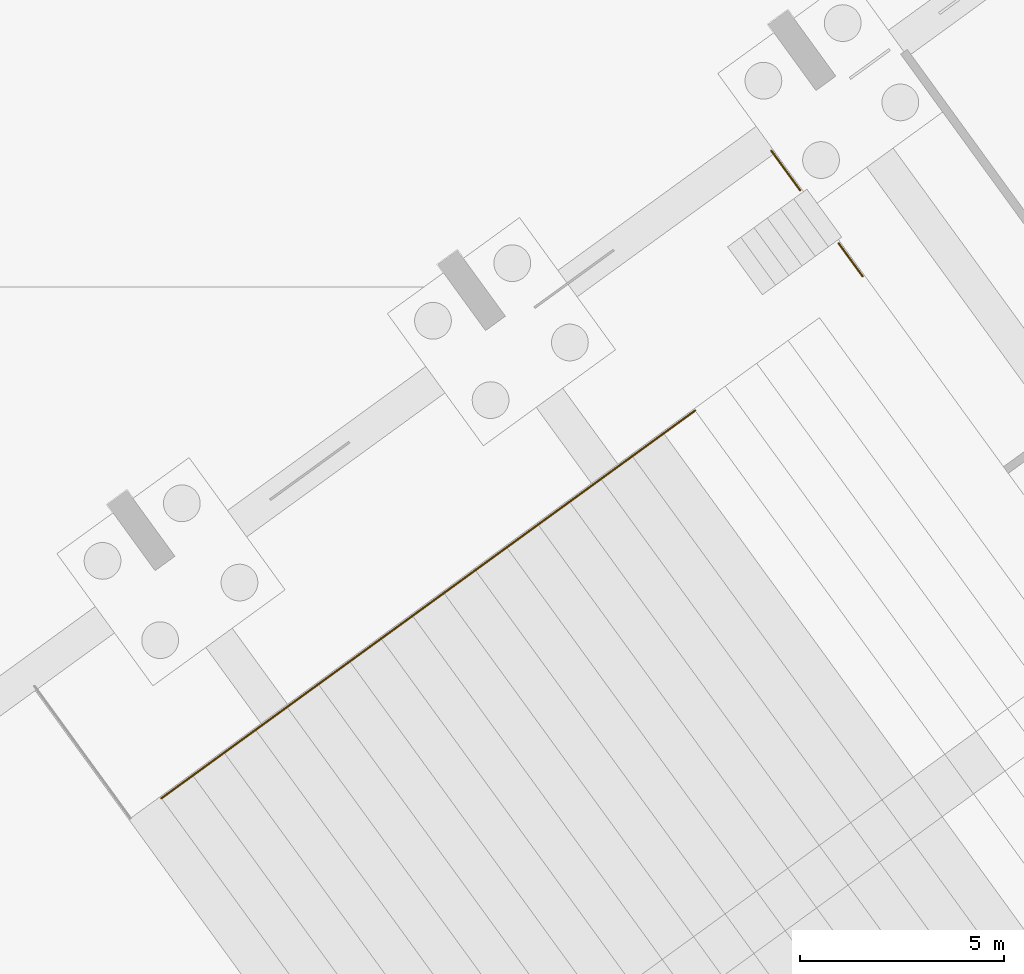
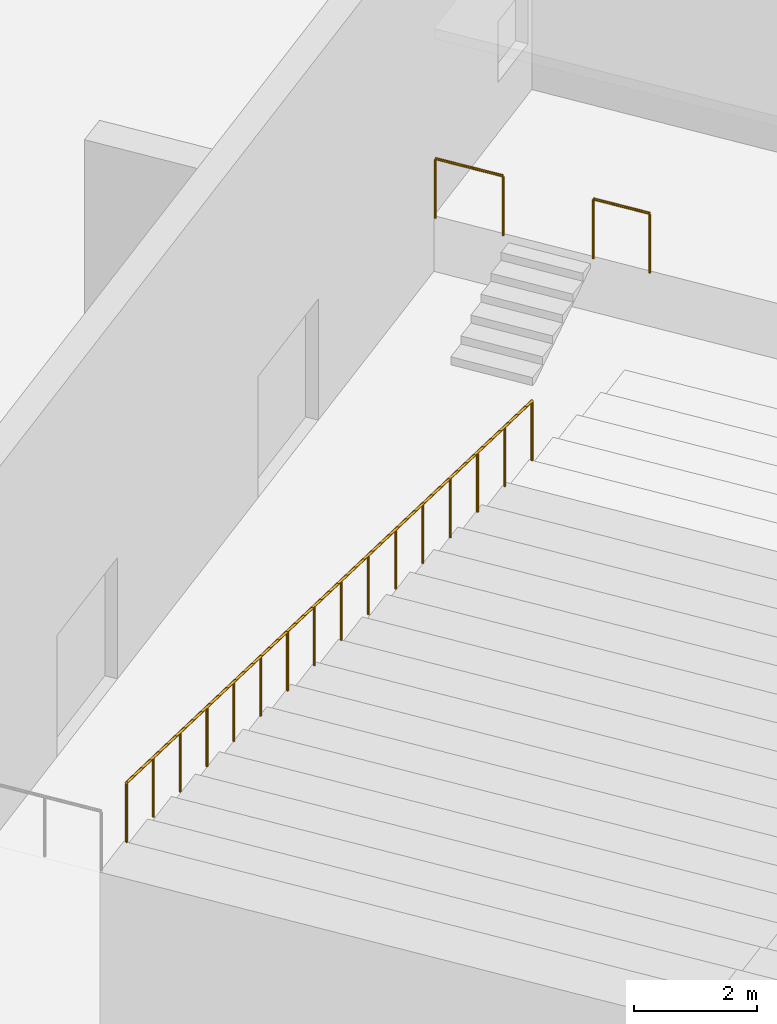
# One storey, part 235 of 239: 3 railings.
"""IFC4 building model written with IfcOpenShell, lengths in metres."""

import ifcopenshell
import ifcopenshell.guid

model = None  # the IFC model being written
_history = None  # IfcOwnerHistory: only IFC2X3 demands one
_inside = {}  # id of a spatial element -> (the spatial element, [elements in it])
_under = {}  # id of a project, library or spatial element -> (it, [spatial elements below it])
_declared = {}  # id of a project -> (the project, [libraries it declares])
_typed = {}  # id of a type object -> (the type object, [elements of that type])
_made_of = {}  # id of a material, layer set ... -> (it, [elements and type objects made of it])


def new_model(schema):
    """Start an empty IFC model of exactly this schema.

    Asked for "IFC4X3", IfcOpenShell would pick the latest addendum, in which some entities
    have other attributes; the version numbers below select the first issue.
    IFC2X3 requires an IfcOwnerHistory on every rooted entity: one is made here for all.
    """
    global model, _history
    if schema == "IFC4X3":
        model = ifcopenshell.file(schema_version=(4, 3, 0, 0))
    else:
        model = ifcopenshell.file(schema=schema)
    _inside.clear()
    _under.clear()
    _declared.clear()
    _typed.clear()
    _made_of.clear()
    _history = None
    if model.schema == "IFC2X3":
        org = make("IfcOrganization", Name="unknown")
        user = make(
            "IfcPersonAndOrganization",
            ThePerson=make("IfcPerson", FamilyName="unknown"),
            TheOrganization=org,
        )
        app = make(
            "IfcApplication",
            ApplicationDeveloper=org,
            Version="unknown",
            ApplicationFullName="unknown",
            ApplicationIdentifier="unknown",
        )
        _history = make(
            "IfcOwnerHistory",
            OwningUser=user,
            OwningApplication=app,
            ChangeAction="ADDED",
            CreationDate=0,
        )
    return model


def make(cls, **values):
    """One entity of the class cls with the attributes given. An attribute that is None is left unset."""
    return model.create_entity(
        cls, **{name: value for name, value in values.items() if value is not None}
    )


def rooted(cls, **values):
    """An entity with a GlobalId (a new one), such as an element, a storey or a relation."""
    return make(cls, GlobalId=ifcopenshell.guid.new(), OwnerHistory=_history, **values)


def si_unit(unit_type, name, prefix=None):
    """IfcSIUnit, for example si_unit("LENGTHUNIT", "METRE", prefix="MILLI")."""
    return make("IfcSIUnit", UnitType=unit_type, Prefix=prefix, Name=name)


def assignment(units):
    """IfcUnitAssignment: the units of a project."""
    return None if units is None else make("IfcUnitAssignment", Units=units)


def point(xyz):
    """IfcCartesianPoint."""
    return None if xyz is None else make("IfcCartesianPoint", Coordinates=xyz)


def direction(xyz):
    """IfcDirection."""
    return None if xyz is None else make("IfcDirection", DirectionRatios=xyz)


def frame(location, z_axis=None, x_axis=None):
    """IfcAxis2Placement3D, a coordinate frame: its origin and axes. An axis left out is left unset."""
    return make(
        "IfcAxis2Placement3D",
        Location=point(location),
        Axis=direction(z_axis),
        RefDirection=direction(x_axis),
    )


def frame_2d(location, x_axis=None):
    """IfcAxis2Placement2D, a coordinate frame in the plane: its origin and x axis."""
    return make(
        "IfcAxis2Placement2D", Location=point(location), RefDirection=direction(x_axis)
    )


def origin():
    """The frame at (0, 0, 0) with its axes left unset."""
    return frame((0.0, 0.0, 0.0))


def origin_2d():
    """The frame at (0, 0) in the plane with its x axis left unset."""
    return frame_2d((0.0, 0.0))


def place(relative_to, where):
    """IfcLocalPlacement: puts the frame where relative to a parent placement (None: the world)."""
    return make(
        "IfcLocalPlacement", PlacementRelTo=relative_to, RelativePlacement=where
    )


def context(
    kind, dimensions, precision=None, world=None, true_north=None, identifier=None
):
    """IfcGeometricRepresentationContext, for example the 3D "Model" context."""
    return make(
        "IfcGeometricRepresentationContext",
        ContextIdentifier=identifier,
        ContextType=kind,
        CoordinateSpaceDimension=dimensions,
        Precision=precision,
        WorldCoordinateSystem=world,
        TrueNorth=true_north,
    )


def subcontext(parent, identifier, kind, view, scale=None):
    """IfcGeometricRepresentationSubContext, for example "Body" below "Model"."""
    return make(
        "IfcGeometricRepresentationSubContext",
        ContextIdentifier=identifier,
        ContextType=kind,
        ParentContext=parent,
        TargetScale=scale,
        TargetView=view,
    )


def project(units=None, contexts=None):
    """IfcProject with its units and contexts."""
    return rooted(
        "IfcProject",
        Name="project",
        RepresentationContexts=contexts,
        UnitsInContext=assignment(units),
    )


def spatial(cls, under=None, at=None, **own):
    """A site, building, storey or space (cls), placed at a placement, below another one or the project."""
    s = rooted(cls, ObjectPlacement=at, **own)
    if under is not None:
        _under.setdefault(under.id(), (under, []))[1].append(s)
    return s


def profile(cls, at=None, kind="AREA", **sizes):
    """A parametric profile (cls). Its sizes go by their IFC names, for example OverallWidth=200.0."""
    return make(cls, ProfileType=kind, Position=at, **sizes)


def circle(**sizes):
    """IfcCircleProfileDef."""
    return profile("IfcCircleProfileDef", **sizes)


def extrude(swept, where, along, depth):
    """IfcExtrudedAreaSolid: the profile swept, set in the frame where, extruded along a direction by depth."""
    return make(
        "IfcExtrudedAreaSolid",
        SweptArea=swept,
        Position=where,
        ExtrudedDirection=direction(along),
        Depth=depth,
    )


def shape(context_of_items, identifier, shape_type, items):
    """IfcShapeRepresentation: the items that make up one representation, for example the "Body"."""
    return make(
        "IfcShapeRepresentation",
        ContextOfItems=context_of_items,
        RepresentationIdentifier=identifier,
        RepresentationType=shape_type,
        Items=items,
    )


def material(Name=None, Category=None):
    """IfcMaterial."""
    return make("IfcMaterial", Name=Name, Category=Category)


def made_of(thing, what):
    """Note that an element or type object is made of a material, layer set ...; save() writes the relation."""
    if what is not None:
        _made_of.setdefault(what.id(), (what, []))[1].append(thing)
    return thing


def type_object(cls, material=None, **own):
    """A type object (cls), such as IfcWallType, which elements share."""
    return made_of(rooted(cls, **own), material)


def element(
    cls,
    number,
    at=None,
    inside=None,
    cuts=None,
    type_object=None,
    material=None,
    context=None,
    identifier="Body",
    shape_type=None,
    held_by="IfcProductDefinitionShape",
    body=None,
    shapes=None,
    **own,
):
    """One element of the class cls, such as IfcWall. Its Tag is "e" and its number.

    at: its placement. inside: the storey or other place that contains it. cuts: it is an
    opening in that element (IfcRelVoidsElement). A single representation is given by context,
    identifier, shape_type and body (its items); several are given by shapes. held_by: the class
    of the entity that holds the representations. save() writes the other relations.
    """
    e = rooted(cls, Tag="e%d" % number, ObjectPlacement=at, **own)
    if body is not None:
        shapes = [shape(context, identifier, shape_type, body)]
    if shapes is not None:
        e.Representation = make(held_by, Representations=shapes)
    if inside is not None:
        _inside.setdefault(inside.id(), (inside, []))[1].append(e)
    if cuts is not None:
        rooted(
            "IfcRelVoidsElement", RelatingBuildingElement=cuts, RelatedOpeningElement=e
        )
    if type_object is not None:
        _typed.setdefault(type_object.id(), (type_object, []))[1].append(e)
    return made_of(e, material)


def aggregate(whole, parts):
    """IfcRelAggregates: a whole, such as a stair, and the parts it consists of."""
    return rooted("IfcRelAggregates", RelatingObject=whole, RelatedObjects=parts)


def save(model, path):
    """Write the relations noted so far, then the file.

    IfcRelAggregates (storeys below a building ...), IfcRelContainedInSpatialStructure (elements
    in a storey), IfcRelDefinesByType, IfcRelAssociatesMaterial and IfcRelDeclares: one each for
    every whole, place, type object, material and project.
    """
    for whole, parts in _under.values():
        aggregate(whole, parts)
    for where, things in _inside.values():
        rooted(
            "IfcRelContainedInSpatialStructure",
            RelatedElements=things,
            RelatingStructure=where,
        )
    for kind, things in _typed.values():
        rooted("IfcRelDefinesByType", RelatedObjects=things, RelatingType=kind)
    for what, things in _made_of.values():
        rooted("IfcRelAssociatesMaterial", RelatedObjects=things, RelatingMaterial=what)
    for by, libraries in _declared.values():
        rooted("IfcRelDeclares", RelatingContext=by, RelatedDefinitions=libraries)
    model.write(path)


model = new_model("IFC4")

# Units and contexts
model_context = context("Model", 3, precision=1e-05, world=origin(), true_north=direction((0.0, 1.0)))
body_context = subcontext(model_context, "Body", "Model", "MODEL_VIEW")
ifc_project = project(units=[si_unit("LENGTHUNIT", "METRE"), si_unit("AREAUNIT", "SQUARE_METRE"), si_unit("VOLUMEUNIT", "CUBIC_METRE"), si_unit("PLANEANGLEUNIT", "RADIAN"), si_unit("MASSUNIT", "GRAM", prefix="KILO")], contexts=[model_context])

# Site, building, storey
site_placement = place(None, origin())
site = spatial("IfcSite", under=ifc_project, at=site_placement, CompositionType="ELEMENT")
building_placement = place(site_placement, origin())
building = spatial("IfcBuilding", under=site, at=building_placement, Name="Okhra Congress Centre", CompositionType="ELEMENT")
storey_placement = place(building_placement, origin())
storey = spatial("IfcBuildingStorey", under=building, at=storey_placement, Name="L00", CompositionType="ELEMENT", Elevation=0.0)

# Railings
ifc_material = material(Name="Painted steel tube guard with vertical steel balusters", Category="steel")
railing_type = type_object("IfcRailingType", Name="Steel guard 1200", PredefinedType="GUARDRAIL", material=ifc_material)
railing_1_placement = place(storey_placement, frame((222.1064453125, 211.88232421875, 3.60009765625)))
element("IfcRailing", 1, at=railing_1_placement, inside=storey, type_object=railing_type, Name="Stalls side guard", PredefinedType="GUARDRAIL", context=body_context, shape_type="SweptSolid", body=[
    extrude(circle(Radius=0.02392578125, at=origin_2d()), frame((0.0, 0.0, 1.17578125), z_axis=(0.797265192642, 0.579263870907, -0.169769197628), x_axis=(-0.58779641151, 0.809008886611, 0.0)), (0.0, 0.0, 1.0), 8.67578125),
    extrude(circle(Radius=0.02392578125, at=origin_2d()), frame((6.9169921875, 5.025634765625, -0.296875), z_axis=(0.79727942057, 0.579249585378, -0.169751121867), x_axis=(-0.587780058403, 0.809020767931, 0.0)), (0.0, 0.0, 1.0), 7.711669921875),
    extrude(circle(Radius=0.02099609375, at=origin_2d()), origin(), (0.0, 0.0, 1.0), 1.15185546875),
    extrude(circle(Radius=0.02099609375, at=origin_2d()), frame((0.86474609375, 0.628173828125, -0.18408203125)), (0.0, 0.0, 1.0), 1.15185546875),
    extrude(circle(Radius=0.02099609375, at=origin_2d()), frame((1.729248046875, 1.25634765625, -0.3681640625)), (0.0, 0.0, 1.0), 1.15185546875),
    extrude(circle(Radius=0.02099609375, at=origin_2d()), frame((2.59375, 1.884521484375, -0.55224609375)), (0.0, 0.0, 1.0), 1.15185546875),
    extrude(circle(Radius=0.02099609375, at=origin_2d()), frame((3.45849609375, 2.5126953125, -0.736328125)), (0.0, 0.0, 1.0), 1.15185546875),
    extrude(circle(Radius=0.02099609375, at=origin_2d()), frame((4.3232421875, 3.14111328125, -0.920654296875)), (0.0, 0.0, 1.0), 1.15185546875),
    extrude(circle(Radius=0.02099609375, at=origin_2d()), frame((5.187744140625, 3.769287109375, -1.104736328125)), (0.0, 0.0, 1.0), 1.15185546875),
    extrude(circle(Radius=0.02099609375, at=origin_2d()), frame((6.05224609375, 4.3974609375, -1.288818359375)), (0.0, 0.0, 1.0), 1.15185546875),
    extrude(circle(Radius=0.02099609375, at=origin_2d()), frame((6.9169921875, 5.025634765625, -1.472900390625)), (0.0, 0.0, 1.0), 1.15185546875),
    extrude(circle(Radius=0.02099609375, at=origin_2d()), frame((7.79541015625, 5.663818359375, -1.659912109375)), (0.0, 0.0, 1.0), 1.15185546875),
    extrude(circle(Radius=0.02099609375, at=origin_2d()), frame((8.673583984375, 6.302001953125, -1.846923828125)), (0.0, 0.0, 1.0), 1.15185546875),
    extrude(circle(Radius=0.02099609375, at=origin_2d()), frame((9.552001953125, 6.940185546875, -2.033935546875)), (0.0, 0.0, 1.0), 1.15185546875),
    extrude(circle(Radius=0.02099609375, at=origin_2d()), frame((10.430419921875, 7.578125, -2.220947265625)), (0.0, 0.0, 1.0), 1.15185546875),
    extrude(circle(Radius=0.02099609375, at=origin_2d()), frame((11.308837890625, 8.21630859375, -2.407958984375)), (0.0, 0.0, 1.0), 1.15185546875),
    extrude(circle(Radius=0.02099609375, at=origin_2d()), frame((12.18701171875, 8.8544921875, -2.594970703125)), (0.0, 0.0, 1.0), 1.15185546875),
    extrude(circle(Radius=0.02099609375, at=origin_2d()), frame((13.0654296875, 9.49267578125, -2.781982421875)), (0.0, 0.0, 1.0), 1.15185546875),
])
railing_2_placement = place(storey_placement, frame((238.6845703125, 225.47216796875, 1.10009765625)))
element("IfcRailing", 2, at=railing_2_placement, inside=storey, type_object=railing_type, Name="Stage edge guard", PredefinedType="GUARDRAIL", context=body_context, shape_type="SweptSolid", body=[
    extrude(circle(Radius=0.02392578125, at=origin_2d()), frame((0.0, 0.0, 1.17578125), z_axis=(0.587823287746, -0.808989358634, 0.0), x_axis=(0.808989358634, 0.587823287746, 0.0)), (0.0, 0.0, 1.0), 1.0),
    extrude(circle(Radius=0.02099609375, at=origin_2d()), origin(), (0.0, 0.0, 1.0), 1.15185546875),
    extrude(circle(Radius=0.02099609375, at=origin_2d()), frame((0.587890625, -0.80908203125, 0.0)), (0.0, 0.0, 1.0), 1.15185546875),
])
railing_3_placement = place(storey_placement, frame((237.744140625, 226.7666015625, 1.10009765625)))
element("IfcRailing", 3, at=railing_3_placement, inside=storey, type_object=railing_type, Name="Stage edge guard", PredefinedType="GUARDRAIL", context=body_context, shape_type="SweptSolid", body=[
    extrude(circle(Radius=0.02392578125, at=origin_2d()), frame((0.0, 0.0, 1.17578125), z_axis=(-0.587820796465, 0.808991168829, 0.0), x_axis=(-0.808991168829, -0.587820796465, 0.0)), (0.0, 0.0, 1.0), 1.199951171875),
    extrude(circle(Radius=0.02099609375, at=origin_2d()), origin(), (0.0, 0.0, 1.0), 1.15185546875),
    extrude(circle(Radius=0.02099609375, at=origin_2d()), frame((-0.705322265625, 0.970703125, 0.0)), (0.0, 0.0, 1.0), 1.15185546875),
])

save(model, "model.ifc")
